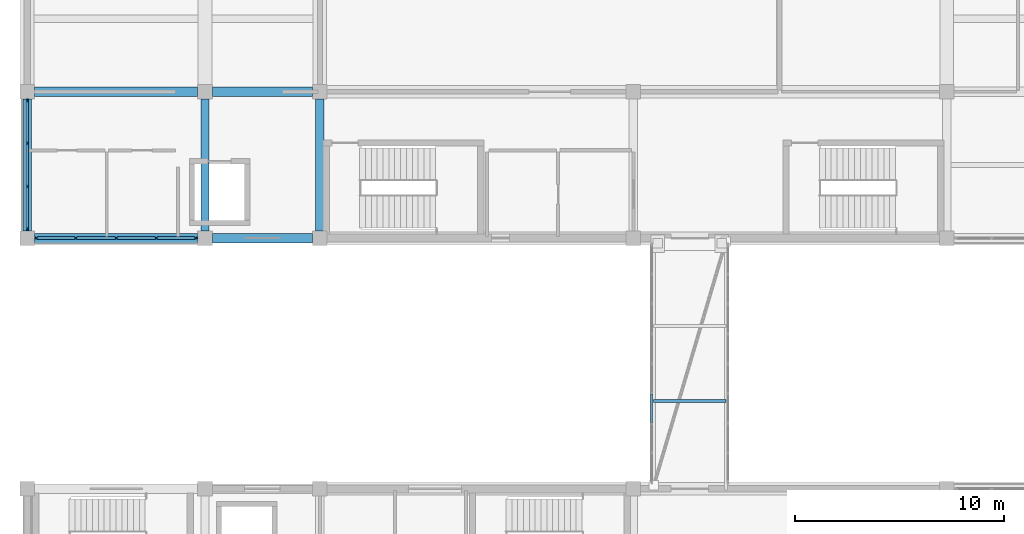
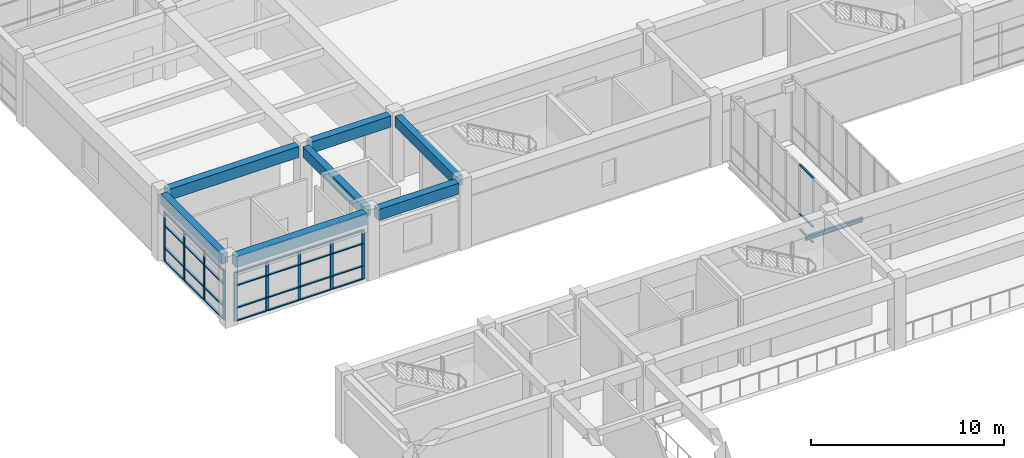
# One storey, part 10 of 70: 40 members, 8 beams, 3 elements without a shape of their own.
"""IFC4 building model written with IfcOpenShell, lengths in metres."""

from ifc_helpers import new_model, si_unit, direction, frame, origin, origin_2d, place, context, subcontext, project, spatial, rectangle, i_section, extrude, material, layer, layer_set, material_profile, profile_set, type_object, element, aggregate, save


model = new_model("IFC4")

# Units and contexts
model_context = context("Model", 3, precision=1e-05, world=origin(), true_north=direction((0.0, 1.0)))
body_context = subcontext(model_context, "Body", "Model", "MODEL_VIEW")
ifc_project = project(units=[si_unit("LENGTHUNIT", "METRE"), si_unit("AREAUNIT", "SQUARE_METRE"), si_unit("VOLUMEUNIT", "CUBIC_METRE"), si_unit("PLANEANGLEUNIT", "RADIAN"), si_unit("MASSUNIT", "GRAM", prefix="KILO")], contexts=[model_context])

# Site, building, storey
site_placement = place(None, origin())
site = spatial("IfcSite", under=ifc_project, at=site_placement, CompositionType="ELEMENT")
building_placement = place(site_placement, origin())
building = spatial("IfcBuilding", under=site, at=building_placement, Name="Naurynzar Civic Courthouse", CompositionType="ELEMENT")
storey_placement = place(building_placement, frame((0.0, 0.0, 5.39990234375)))
storey = spatial("IfcBuildingStorey", under=building, at=storey_placement, Name="L02", CompositionType="ELEMENT", Elevation=5.39990234375)

# Beams
ifc_material_1 = material(Name="Concrete C40/50", Category="concrete")
ifc_material_profile_1 = material_profile(ifc_material_1, rectangle(XDim=0.39990234375, YDim=0.64990234375, at=origin_2d()), Name="RCB 400x650")
ifc_profile_set_1 = profile_set([ifc_material_profile_1], Name="Concrete C40/50")
beam_type_1 = type_object("IfcBeamType", Name="BM-RC-400x650", PredefinedType="BEAM", material=ifc_profile_set_1)
for number, where, z_axis, x_axis, name in (
    (1, (6.0, 44.35009765625, 3.905029296875), (0.0, 1.0, 0.0), (-1.0, 0.0, 0.0), "V1 girder Y-135 L02"),
    (2, (14.5, 44.35009765625, 3.905029296875), (0.0, 1.0, 0.0), (-1.0, 0.0, 0.0), "V1 girder Y-138 L02"),
    (3, (20.0, 44.35009765625, 3.905029296875), (0.0, 1.0, 0.0), (-1.0, 0.0, 0.0), "V1 girder Y-141 L02"),
):
    element("IfcBeam", number, at=place(storey_placement, frame(where, z_axis=z_axis, x_axis=x_axis)), inside=storey, type_object=beam_type_1, Name=name, PredefinedType="BEAM", context=body_context, shape_type="SweptSolid", body=[
        extrude(rectangle(XDim=0.39990234375, YDim=0.64990234375, at=origin_2d()), origin(), (0.0, 0.0, 1.0), 6.2998046875),
    ])
ifc_material_2 = material(Name="Concrete C40/50", Category="concrete")
ifc_material_profile_2 = material_profile(ifc_material_2, rectangle(XDim=0.449951171875, YDim=0.699951171875, at=origin_2d()), Name="RCB 450x700")
ifc_profile_set_2 = profile_set([ifc_material_profile_2], Name="Concrete C40/50")
beam_type_2 = type_object("IfcBeamType", Name="BM-RC-450x700", PredefinedType="BEAM", material=ifc_profile_set_2)
beam_1_placement = place(storey_placement, frame((6.35009765625, 44.0, 3.880126953125), z_axis=(1.0, 0.0, 0.0), x_axis=(0.0, 1.0, 0.0)))
element("IfcBeam", 4, at=beam_1_placement, inside=storey, type_object=beam_type_2, Name="V1 beam X-115 L02", PredefinedType="BEAM", context=body_context, shape_type="SweptSolid", body=[
    extrude(rectangle(XDim=0.449951171875, YDim=0.699951171875, at=origin_2d()), origin(), (0.0, 0.0, 1.0), 7.7998046875),
])
beam_2_placement = place(storey_placement, frame((14.85009765625, 44.0, 3.880126953125), z_axis=(1.0, 0.0, 0.0), x_axis=(0.0, 1.0, 0.0)))
element("IfcBeam", 5, at=beam_2_placement, inside=storey, type_object=beam_type_2, Name="V1 beam X-116 L02", PredefinedType="BEAM", context=body_context, shape_type="SweptSolid", body=[
    extrude(rectangle(XDim=0.449951171875, YDim=0.699951171875, at=origin_2d()), origin(), (0.0, 0.0, 1.0), 4.7998046875),
])
beam_3_placement = place(storey_placement, frame((6.35009765625, 51.0, 3.880126953125), z_axis=(1.0, 0.0, 0.0), x_axis=(0.0, 1.0, 0.0)))
element("IfcBeam", 6, at=beam_3_placement, inside=storey, type_object=beam_type_2, Name="V1 beam X-120 L02", PredefinedType="BEAM", context=body_context, shape_type="SweptSolid", body=[
    extrude(rectangle(XDim=0.449951171875, YDim=0.699951171875, at=origin_2d()), origin(), (0.0, 0.0, 1.0), 7.7998046875),
])
beam_4_placement = place(storey_placement, frame((14.85009765625, 51.0, 3.880126953125), z_axis=(1.0, 0.0, 0.0), x_axis=(0.0, 1.0, 0.0)))
element("IfcBeam", 7, at=beam_4_placement, inside=storey, type_object=beam_type_2, Name="V1 beam X-121 L02", PredefinedType="BEAM", context=body_context, shape_type="SweptSolid", body=[
    extrude(rectangle(XDim=0.449951171875, YDim=0.699951171875, at=origin_2d()), origin(), (0.0, 0.0, 1.0), 4.7998046875),
])
ifc_material_3 = material(Name="Steel S355", Category="steel")
ifc_material_profile_3 = material_profile(ifc_material_3, i_section(OverallWidth=0.135009765625, OverallDepth=0.27001953125, WebThickness=0.006591796875, FlangeThickness=0.01025390625, FilletRadius=0.014892578125, at=origin_2d()), Name="IPE 270")
ifc_profile_set_3 = profile_set([ifc_material_profile_3], Name="Steel S355")
beam_type_3 = type_object("IfcBeamType", Name="BM-STL-IPE270", PredefinedType="BEAM", material=ifc_profile_set_3)
beam_5_placement = place(storey_placement, frame((35.969970703125, 36.2060546875, -0.375), z_axis=(1.0, 0.0, 0.0), x_axis=(0.0, 1.0, 0.0)))
element("IfcBeam", 8, at=beam_5_placement, inside=storey, type_object=beam_type_3, Name="BR-W1 deck cross-beam L02.1", PredefinedType="BEAM", context=body_context, shape_type="SweptSolid", body=[
    extrude(i_section(OverallWidth=0.135009765625, OverallDepth=0.27001953125, WebThickness=0.006591796875, FlangeThickness=0.01025390625, FilletRadius=0.014892578125, at=origin_2d()), origin(), (0.0, 0.0, 1.0), 3.4599609375),
])

# Curtain wall, members
ifc_material_4 = material(Name="Aluminium 6063-T6", Category="aluminium")
ifc_layer_1 = layer(ifc_material_4, 0.159912109375)
ifc_layer_set_1 = layer_set([ifc_layer_1], Name="CW-UNIT-1800")
curtain_wall_type_1 = type_object("IfcCurtainWallType", Name="CW-UNIT-1800", PredefinedType="NOTDEFINED", material=ifc_layer_set_1)
curtain_wall_1_placement = place(storey_placement, origin())
curtain_wall_1 = element("IfcCurtainWall", 9, at=curtain_wall_1_placement, inside=storey, type_object=curtain_wall_type_1, Name="V1 unitised curtain wall 1 L02", PredefinedType="NOTDEFINED")
ifc_material_5 = material(Name="Aluminium 6063-T6", Category="aluminium")
ifc_material_profile_4 = material_profile(ifc_material_5, rectangle(XDim=0.070068359375, YDim=0.179931640625, at=origin_2d()), Name="ALU MULLION 70x180")
ifc_profile_set_4 = profile_set([ifc_material_profile_4], Name="Aluminium 6063-T6")
member_type_1 = type_object("IfcMemberType", Name="CWM-70x180", PredefinedType="MULLION", material=ifc_profile_set_4)
member_1_placement = place(storey_placement, frame((6.0, 44.43505859375, 0.0), z_axis=(0.0, 0.0, 1.0), x_axis=(-1.0, 0.0, 0.0)))
member_1 = element("IfcMember", 10, at=member_1_placement, type_object=member_type_1, Name="CW-02 mullion 1", PredefinedType="MULLION", context=body_context, shape_type="SweptSolid", body=[
    extrude(rectangle(XDim=0.070068359375, YDim=0.179931640625, at=origin_2d()), origin(), (0.0, 0.0, 1.0), 3.110107421875),
])
member_2_placement = place(storey_placement, frame((6.0, 46.466552734375, 0.0), z_axis=(0.0, 0.0, 1.0), x_axis=(-1.0, 0.0, 0.0)))
member_2 = element("IfcMember", 11, at=member_2_placement, type_object=member_type_1, Name="CW-02 mullion 2", PredefinedType="MULLION", context=body_context, shape_type="SweptSolid", body=[
    extrude(rectangle(XDim=0.070068359375, YDim=0.179931640625, at=origin_2d()), origin(), (0.0, 0.0, 1.0), 3.110107421875),
])
member_3_placement = place(storey_placement, frame((6.0, 48.533447265625, 0.0), z_axis=(0.0, 0.0, 1.0), x_axis=(-1.0, 0.0, 0.0)))
member_3 = element("IfcMember", 12, at=member_3_placement, type_object=member_type_1, Name="CW-02 mullion 3", PredefinedType="MULLION", context=body_context, shape_type="SweptSolid", body=[
    extrude(rectangle(XDim=0.070068359375, YDim=0.179931640625, at=origin_2d()), origin(), (0.0, 0.0, 1.0), 3.110107421875),
])
member_4_placement = place(storey_placement, frame((6.0, 50.56494140625, 0.0), z_axis=(0.0, 0.0, 1.0), x_axis=(-1.0, 0.0, 0.0)))
member_4 = element("IfcMember", 13, at=member_4_placement, type_object=member_type_1, Name="CW-02 mullion 4", PredefinedType="MULLION", context=body_context, shape_type="SweptSolid", body=[
    extrude(rectangle(XDim=0.070068359375, YDim=0.179931640625, at=origin_2d()), origin(), (0.0, 0.0, 1.0), 3.110107421875),
])

curtain_wall_2_placement = place(storey_placement, origin())
curtain_wall_2 = element("IfcCurtainWall", 14, at=curtain_wall_2_placement, inside=storey, type_object=curtain_wall_type_1, Name="V1 unitised curtain wall 6 L02", PredefinedType="NOTDEFINED")
member_5_placement = place(storey_placement, frame((14.06494140625, 44.0, 0.0), z_axis=(0.0, 0.0, 1.0), x_axis=(0.0, -1.0, 0.0)))
member_5 = element("IfcMember", 15, at=member_5_placement, type_object=member_type_1, Name="CW-02 mullion 1", PredefinedType="MULLION", context=body_context, shape_type="SweptSolid", body=[
    extrude(rectangle(XDim=0.070068359375, YDim=0.179931640625, at=origin_2d()), origin(), (0.0, 0.0, 1.0), 3.110107421875),
])
member_6_placement = place(storey_placement, frame((12.175048828125, 44.0, 0.0), z_axis=(0.0, 0.0, 1.0), x_axis=(0.0, -1.0, 0.0)))
member_6 = element("IfcMember", 16, at=member_6_placement, type_object=member_type_1, Name="CW-02 mullion 2", PredefinedType="MULLION", context=body_context, shape_type="SweptSolid", body=[
    extrude(rectangle(XDim=0.070068359375, YDim=0.179931640625, at=origin_2d()), origin(), (0.0, 0.0, 1.0), 3.110107421875),
])
member_7_placement = place(storey_placement, frame((10.25, 44.0, 0.0), z_axis=(0.0, 0.0, 1.0), x_axis=(0.0, -1.0, 0.0)))
member_7 = element("IfcMember", 17, at=member_7_placement, type_object=member_type_1, Name="CW-02 mullion 3", PredefinedType="MULLION", context=body_context, shape_type="SweptSolid", body=[
    extrude(rectangle(XDim=0.070068359375, YDim=0.179931640625, at=origin_2d()), origin(), (0.0, 0.0, 1.0), 3.110107421875),
])
member_8_placement = place(storey_placement, frame((8.324951171875, 44.0, 0.0), z_axis=(0.0, 0.0, 1.0), x_axis=(0.0, -1.0, 0.0)))
member_8 = element("IfcMember", 18, at=member_8_placement, type_object=member_type_1, Name="CW-02 mullion 4", PredefinedType="MULLION", context=body_context, shape_type="SweptSolid", body=[
    extrude(rectangle(XDim=0.070068359375, YDim=0.179931640625, at=origin_2d()), origin(), (0.0, 0.0, 1.0), 3.110107421875),
])
member_9_placement = place(storey_placement, frame((6.43505859375, 44.0, 0.0), z_axis=(0.0, 0.0, 1.0), x_axis=(0.0, -1.0, 0.0)))
member_9 = element("IfcMember", 19, at=member_9_placement, type_object=member_type_1, Name="CW-02 mullion 5", PredefinedType="MULLION", context=body_context, shape_type="SweptSolid", body=[
    extrude(rectangle(XDim=0.070068359375, YDim=0.179931640625, at=origin_2d()), origin(), (0.0, 0.0, 1.0), 3.110107421875),
])

ifc_material_6 = material(Name="Aluminium 6063-T6", Category="aluminium")
ifc_layer_2 = layer(ifc_material_6, 0.14990234375)
ifc_layer_set_2 = layer_set([ifc_layer_2], Name="CW-BRIDGE-1500")
curtain_wall_type_2 = type_object("IfcCurtainWallType", Name="CW-BRIDGE-1500", PredefinedType="USERDEFINED", material=ifc_layer_set_2)
curtain_wall_3_placement = place(storey_placement, origin())
curtain_wall_3 = element("IfcCurtainWall", 20, at=curtain_wall_3_placement, inside=storey, type_object=curtain_wall_type_2, Name="BR-W1 glazed bridge screen L02.1", ObjectType="GLAZED BRIDGE SCREEN", PredefinedType="USERDEFINED")
ifc_material_7 = material(Name="Aluminium 6063-T6", Category="aluminium")
ifc_material_profile_5 = material_profile(ifc_material_7, rectangle(XDim=0.110107421875, YDim=0.06005859375, at=origin_2d()), Name="ALU TRANSOM 60x110")
ifc_profile_set_5 = profile_set([ifc_material_profile_5], Name="Aluminium 6063-T6")
member_type_2 = type_object("IfcMemberType", Name="CWT-60x110", PredefinedType="USERDEFINED", material=ifc_profile_set_5)
member_10_placement = place(storey_placement, frame((35.8798828125, 36.544921875, 0.030029296875), z_axis=(0.0, -1.0, 0.0), x_axis=(1.0, 0.0, 0.0)))
member_10 = element("IfcMember", 21, at=member_10_placement, type_object=member_type_2, Name="CW-03 transom 6.1", ObjectType="TRANSOM", PredefinedType="USERDEFINED", context=body_context, shape_type="SweptSolid", body=[
    extrude(rectangle(XDim=0.110107421875, YDim=0.06005859375, at=origin_2d()), origin(), (0.0, 0.0, 1.0), 1.364990234375),
])
member_11_placement = place(storey_placement, frame((35.8798828125, 36.544921875, 1.0), z_axis=(0.0, -1.0, 0.0), x_axis=(1.0, 0.0, 0.0)))
member_11 = element("IfcMember", 22, at=member_11_placement, type_object=member_type_2, Name="CW-03 transom 6.2", ObjectType="TRANSOM", PredefinedType="USERDEFINED", context=body_context, shape_type="SweptSolid", body=[
    extrude(rectangle(XDim=0.110107421875, YDim=0.06005859375, at=origin_2d()), origin(), (0.0, 0.0, 1.0), 1.364990234375),
])
member_12_placement = place(storey_placement, frame((35.8798828125, 36.544921875, 4.090087890625), z_axis=(0.0, -1.0, 0.0), x_axis=(1.0, 0.0, 0.0)))
member_12 = element("IfcMember", 23, at=member_12_placement, type_object=member_type_2, Name="CW-03 transom 6.3", ObjectType="TRANSOM", PredefinedType="USERDEFINED", context=body_context, shape_type="SweptSolid", body=[
    extrude(rectangle(XDim=0.110107421875, YDim=0.06005859375, at=origin_2d()), origin(), (0.0, 0.0, 1.0), 1.364990234375),
])
aggregate(curtain_wall_3, [member_10, member_11, member_12])

# Member
ifc_material_8 = material(Name="Aluminium 6063-T6", Category="aluminium")
ifc_material_profile_6 = material_profile(ifc_material_8, rectangle(XDim=0.1298828125, YDim=0.070068359375, at=origin_2d()), Name="ALU TRANSOM 70x130")
ifc_profile_set_6 = profile_set([ifc_material_profile_6], Name="Aluminium 6063-T6")
member_type_3 = type_object("IfcMemberType", Name="CWT-70x130", PredefinedType="USERDEFINED", material=ifc_profile_set_6)
member_13_placement = place(storey_placement, frame((6.0, 44.469970703125, 0.03515625), z_axis=(0.0, 1.0, 0.0), x_axis=(-1.0, 0.0, 0.0)))
member_13 = element("IfcMember", 24, at=member_13_placement, type_object=member_type_3, Name="CW-02 transom 1.1", ObjectType="TRANSOM", PredefinedType="USERDEFINED", context=body_context, shape_type="SweptSolid", body=[
    extrude(rectangle(XDim=0.1298828125, YDim=0.070068359375, at=origin_2d()), origin(), (0.0, 0.0, 1.0), 1.961669921875),
])

member_14_placement = place(storey_placement, frame((6.0, 44.469970703125, 0.85009765625), z_axis=(0.0, 1.0, 0.0), x_axis=(-1.0, 0.0, 0.0)))
member_14 = element("IfcMember", 25, at=member_14_placement, type_object=member_type_3, Name="CW-02 transom 1.2", ObjectType="TRANSOM", PredefinedType="USERDEFINED", context=body_context, shape_type="SweptSolid", body=[
    extrude(rectangle(XDim=0.1298828125, YDim=0.070068359375, at=origin_2d()), origin(), (0.0, 0.0, 1.0), 1.961669921875),
])

member_15_placement = place(storey_placement, frame((6.0, 44.469970703125, 2.260009765625), z_axis=(0.0, 1.0, 0.0), x_axis=(-1.0, 0.0, 0.0)))
member_15 = element("IfcMember", 26, at=member_15_placement, type_object=member_type_3, Name="CW-02 transom 1.3", ObjectType="TRANSOM", PredefinedType="USERDEFINED", context=body_context, shape_type="SweptSolid", body=[
    extrude(rectangle(XDim=0.1298828125, YDim=0.070068359375, at=origin_2d()), origin(), (0.0, 0.0, 1.0), 1.961669921875),
])

member_16_placement = place(storey_placement, frame((6.0, 44.469970703125, 3.0751953125), z_axis=(0.0, 1.0, 0.0), x_axis=(-1.0, 0.0, 0.0)))
member_16 = element("IfcMember", 27, at=member_16_placement, type_object=member_type_3, Name="CW-02 transom 1.4", ObjectType="TRANSOM", PredefinedType="USERDEFINED", context=body_context, shape_type="SweptSolid", body=[
    extrude(rectangle(XDim=0.1298828125, YDim=0.070068359375, at=origin_2d()), origin(), (0.0, 0.0, 1.0), 1.961669921875),
])

member_17_placement = place(storey_placement, frame((6.0, 46.501708984375, 0.03515625), z_axis=(0.0, 1.0, 0.0), x_axis=(-1.0, 0.0, 0.0)))
member_17 = element("IfcMember", 28, at=member_17_placement, type_object=member_type_3, Name="CW-02 transom 2.1", ObjectType="TRANSOM", PredefinedType="USERDEFINED", context=body_context, shape_type="SweptSolid", body=[
    extrude(rectangle(XDim=0.1298828125, YDim=0.070068359375, at=origin_2d()), origin(), (0.0, 0.0, 1.0), 1.99658203125),
])

member_18_placement = place(storey_placement, frame((6.0, 46.501708984375, 0.85009765625), z_axis=(0.0, 1.0, 0.0), x_axis=(-1.0, 0.0, 0.0)))
member_18 = element("IfcMember", 29, at=member_18_placement, type_object=member_type_3, Name="CW-02 transom 2.2", ObjectType="TRANSOM", PredefinedType="USERDEFINED", context=body_context, shape_type="SweptSolid", body=[
    extrude(rectangle(XDim=0.1298828125, YDim=0.070068359375, at=origin_2d()), origin(), (0.0, 0.0, 1.0), 1.99658203125),
])

member_19_placement = place(storey_placement, frame((6.0, 46.501708984375, 2.260009765625), z_axis=(0.0, 1.0, 0.0), x_axis=(-1.0, 0.0, 0.0)))
member_19 = element("IfcMember", 30, at=member_19_placement, type_object=member_type_3, Name="CW-02 transom 2.3", ObjectType="TRANSOM", PredefinedType="USERDEFINED", context=body_context, shape_type="SweptSolid", body=[
    extrude(rectangle(XDim=0.1298828125, YDim=0.070068359375, at=origin_2d()), origin(), (0.0, 0.0, 1.0), 1.99658203125),
])

member_20_placement = place(storey_placement, frame((6.0, 46.501708984375, 3.0751953125), z_axis=(0.0, 1.0, 0.0), x_axis=(-1.0, 0.0, 0.0)))
member_20 = element("IfcMember", 31, at=member_20_placement, type_object=member_type_3, Name="CW-02 transom 2.4", ObjectType="TRANSOM", PredefinedType="USERDEFINED", context=body_context, shape_type="SweptSolid", body=[
    extrude(rectangle(XDim=0.1298828125, YDim=0.070068359375, at=origin_2d()), origin(), (0.0, 0.0, 1.0), 1.99658203125),
])

member_21_placement = place(storey_placement, frame((6.0, 48.568359375, 0.03515625), z_axis=(0.0, 1.0, 0.0), x_axis=(-1.0, 0.0, 0.0)))
member_21 = element("IfcMember", 32, at=member_21_placement, type_object=member_type_3, Name="CW-02 transom 3.1", ObjectType="TRANSOM", PredefinedType="USERDEFINED", context=body_context, shape_type="SweptSolid", body=[
    extrude(rectangle(XDim=0.1298828125, YDim=0.070068359375, at=origin_2d()), origin(), (0.0, 0.0, 1.0), 1.961669921875),
])

member_22_placement = place(storey_placement, frame((6.0, 48.568359375, 0.85009765625), z_axis=(0.0, 1.0, 0.0), x_axis=(-1.0, 0.0, 0.0)))
member_22 = element("IfcMember", 33, at=member_22_placement, type_object=member_type_3, Name="CW-02 transom 3.2", ObjectType="TRANSOM", PredefinedType="USERDEFINED", context=body_context, shape_type="SweptSolid", body=[
    extrude(rectangle(XDim=0.1298828125, YDim=0.070068359375, at=origin_2d()), origin(), (0.0, 0.0, 1.0), 1.961669921875),
])

member_23_placement = place(storey_placement, frame((6.0, 48.568359375, 2.260009765625), z_axis=(0.0, 1.0, 0.0), x_axis=(-1.0, 0.0, 0.0)))
member_23 = element("IfcMember", 34, at=member_23_placement, type_object=member_type_3, Name="CW-02 transom 3.3", ObjectType="TRANSOM", PredefinedType="USERDEFINED", context=body_context, shape_type="SweptSolid", body=[
    extrude(rectangle(XDim=0.1298828125, YDim=0.070068359375, at=origin_2d()), origin(), (0.0, 0.0, 1.0), 1.961669921875),
])

member_24_placement = place(storey_placement, frame((6.0, 48.568359375, 3.0751953125), z_axis=(0.0, 1.0, 0.0), x_axis=(-1.0, 0.0, 0.0)))
member_24 = element("IfcMember", 35, at=member_24_placement, type_object=member_type_3, Name="CW-02 transom 3.4", ObjectType="TRANSOM", PredefinedType="USERDEFINED", context=body_context, shape_type="SweptSolid", body=[
    extrude(rectangle(XDim=0.1298828125, YDim=0.070068359375, at=origin_2d()), origin(), (0.0, 0.0, 1.0), 1.961669921875),
])

aggregate(curtain_wall_1, [member_1, member_2, member_3, member_4, member_13, member_14, member_15, member_16, member_17, member_18, member_19, member_20, member_21, member_22, member_23, member_24])

member_25_placement = place(storey_placement, frame((14.030029296875, 44.0, 0.03515625), z_axis=(-1.0, 0.0, 0.0), x_axis=(0.0, -1.0, 0.0)))
member_25 = element("IfcMember", 36, at=member_25_placement, type_object=member_type_3, Name="CW-02 transom 1.1", ObjectType="TRANSOM", PredefinedType="USERDEFINED", context=body_context, shape_type="SweptSolid", body=[
    extrude(rectangle(XDim=0.1298828125, YDim=0.070068359375, at=origin_2d()), origin(), (0.0, 0.0, 1.0), 1.820068359375),
])

member_26_placement = place(storey_placement, frame((14.030029296875, 44.0, 0.85009765625), z_axis=(-1.0, 0.0, 0.0), x_axis=(0.0, -1.0, 0.0)))
member_26 = element("IfcMember", 37, at=member_26_placement, type_object=member_type_3, Name="CW-02 transom 1.2", ObjectType="TRANSOM", PredefinedType="USERDEFINED", context=body_context, shape_type="SweptSolid", body=[
    extrude(rectangle(XDim=0.1298828125, YDim=0.070068359375, at=origin_2d()), origin(), (0.0, 0.0, 1.0), 1.820068359375),
])

member_27_placement = place(storey_placement, frame((14.030029296875, 44.0, 2.260009765625), z_axis=(-1.0, 0.0, 0.0), x_axis=(0.0, -1.0, 0.0)))
member_27 = element("IfcMember", 38, at=member_27_placement, type_object=member_type_3, Name="CW-02 transom 1.3", ObjectType="TRANSOM", PredefinedType="USERDEFINED", context=body_context, shape_type="SweptSolid", body=[
    extrude(rectangle(XDim=0.1298828125, YDim=0.070068359375, at=origin_2d()), origin(), (0.0, 0.0, 1.0), 1.820068359375),
])

member_28_placement = place(storey_placement, frame((14.030029296875, 44.0, 3.0751953125), z_axis=(-1.0, 0.0, 0.0), x_axis=(0.0, -1.0, 0.0)))
member_28 = element("IfcMember", 39, at=member_28_placement, type_object=member_type_3, Name="CW-02 transom 1.4", ObjectType="TRANSOM", PredefinedType="USERDEFINED", context=body_context, shape_type="SweptSolid", body=[
    extrude(rectangle(XDim=0.1298828125, YDim=0.070068359375, at=origin_2d()), origin(), (0.0, 0.0, 1.0), 1.820068359375),
])

member_29_placement = place(storey_placement, frame((12.139892578125, 44.0, 0.03515625), z_axis=(-1.0, 0.0, 0.0), x_axis=(0.0, -1.0, 0.0)))
member_29 = element("IfcMember", 40, at=member_29_placement, type_object=member_type_3, Name="CW-02 transom 2.1", ObjectType="TRANSOM", PredefinedType="USERDEFINED", context=body_context, shape_type="SweptSolid", body=[
    extrude(rectangle(XDim=0.1298828125, YDim=0.070068359375, at=origin_2d()), origin(), (0.0, 0.0, 1.0), 1.85498046875),
])

member_30_placement = place(storey_placement, frame((12.139892578125, 44.0, 0.85009765625), z_axis=(-1.0, 0.0, 0.0), x_axis=(0.0, -1.0, 0.0)))
member_30 = element("IfcMember", 41, at=member_30_placement, type_object=member_type_3, Name="CW-02 transom 2.2", ObjectType="TRANSOM", PredefinedType="USERDEFINED", context=body_context, shape_type="SweptSolid", body=[
    extrude(rectangle(XDim=0.1298828125, YDim=0.070068359375, at=origin_2d()), origin(), (0.0, 0.0, 1.0), 1.85498046875),
])

member_31_placement = place(storey_placement, frame((12.139892578125, 44.0, 2.260009765625), z_axis=(-1.0, 0.0, 0.0), x_axis=(0.0, -1.0, 0.0)))
member_31 = element("IfcMember", 42, at=member_31_placement, type_object=member_type_3, Name="CW-02 transom 2.3", ObjectType="TRANSOM", PredefinedType="USERDEFINED", context=body_context, shape_type="SweptSolid", body=[
    extrude(rectangle(XDim=0.1298828125, YDim=0.070068359375, at=origin_2d()), origin(), (0.0, 0.0, 1.0), 1.85498046875),
])

member_32_placement = place(storey_placement, frame((12.139892578125, 44.0, 3.0751953125), z_axis=(-1.0, 0.0, 0.0), x_axis=(0.0, -1.0, 0.0)))
member_32 = element("IfcMember", 43, at=member_32_placement, type_object=member_type_3, Name="CW-02 transom 2.4", ObjectType="TRANSOM", PredefinedType="USERDEFINED", context=body_context, shape_type="SweptSolid", body=[
    extrude(rectangle(XDim=0.1298828125, YDim=0.070068359375, at=origin_2d()), origin(), (0.0, 0.0, 1.0), 1.85498046875),
])

member_33_placement = place(storey_placement, frame((10.215087890625, 44.0, 0.03515625), z_axis=(-1.0, 0.0, 0.0), x_axis=(0.0, -1.0, 0.0)))
member_33 = element("IfcMember", 44, at=member_33_placement, type_object=member_type_3, Name="CW-02 transom 3.1", ObjectType="TRANSOM", PredefinedType="USERDEFINED", context=body_context, shape_type="SweptSolid", body=[
    extrude(rectangle(XDim=0.1298828125, YDim=0.070068359375, at=origin_2d()), origin(), (0.0, 0.0, 1.0), 1.85498046875),
])

member_34_placement = place(storey_placement, frame((10.215087890625, 44.0, 0.85009765625), z_axis=(-1.0, 0.0, 0.0), x_axis=(0.0, -1.0, 0.0)))
member_34 = element("IfcMember", 45, at=member_34_placement, type_object=member_type_3, Name="CW-02 transom 3.2", ObjectType="TRANSOM", PredefinedType="USERDEFINED", context=body_context, shape_type="SweptSolid", body=[
    extrude(rectangle(XDim=0.1298828125, YDim=0.070068359375, at=origin_2d()), origin(), (0.0, 0.0, 1.0), 1.85498046875),
])

member_35_placement = place(storey_placement, frame((10.215087890625, 44.0, 2.260009765625), z_axis=(-1.0, 0.0, 0.0), x_axis=(0.0, -1.0, 0.0)))
member_35 = element("IfcMember", 46, at=member_35_placement, type_object=member_type_3, Name="CW-02 transom 3.3", ObjectType="TRANSOM", PredefinedType="USERDEFINED", context=body_context, shape_type="SweptSolid", body=[
    extrude(rectangle(XDim=0.1298828125, YDim=0.070068359375, at=origin_2d()), origin(), (0.0, 0.0, 1.0), 1.85498046875),
])

member_36_placement = place(storey_placement, frame((10.215087890625, 44.0, 3.0751953125), z_axis=(-1.0, 0.0, 0.0), x_axis=(0.0, -1.0, 0.0)))
member_36 = element("IfcMember", 47, at=member_36_placement, type_object=member_type_3, Name="CW-02 transom 3.4", ObjectType="TRANSOM", PredefinedType="USERDEFINED", context=body_context, shape_type="SweptSolid", body=[
    extrude(rectangle(XDim=0.1298828125, YDim=0.070068359375, at=origin_2d()), origin(), (0.0, 0.0, 1.0), 1.85498046875),
])

member_37_placement = place(storey_placement, frame((8.2900390625, 44.0, 0.03515625), z_axis=(-1.0, 0.0, 0.0), x_axis=(0.0, -1.0, 0.0)))
member_37 = element("IfcMember", 48, at=member_37_placement, type_object=member_type_3, Name="CW-02 transom 4.1", ObjectType="TRANSOM", PredefinedType="USERDEFINED", context=body_context, shape_type="SweptSolid", body=[
    extrude(rectangle(XDim=0.1298828125, YDim=0.070068359375, at=origin_2d()), origin(), (0.0, 0.0, 1.0), 1.820068359375),
])

member_38_placement = place(storey_placement, frame((8.2900390625, 44.0, 0.85009765625), z_axis=(-1.0, 0.0, 0.0), x_axis=(0.0, -1.0, 0.0)))
member_38 = element("IfcMember", 49, at=member_38_placement, type_object=member_type_3, Name="CW-02 transom 4.2", ObjectType="TRANSOM", PredefinedType="USERDEFINED", context=body_context, shape_type="SweptSolid", body=[
    extrude(rectangle(XDim=0.1298828125, YDim=0.070068359375, at=origin_2d()), origin(), (0.0, 0.0, 1.0), 1.820068359375),
])

member_39_placement = place(storey_placement, frame((8.2900390625, 44.0, 2.260009765625), z_axis=(-1.0, 0.0, 0.0), x_axis=(0.0, -1.0, 0.0)))
member_39 = element("IfcMember", 50, at=member_39_placement, type_object=member_type_3, Name="CW-02 transom 4.3", ObjectType="TRANSOM", PredefinedType="USERDEFINED", context=body_context, shape_type="SweptSolid", body=[
    extrude(rectangle(XDim=0.1298828125, YDim=0.070068359375, at=origin_2d()), origin(), (0.0, 0.0, 1.0), 1.820068359375),
])

member_40_placement = place(storey_placement, frame((8.2900390625, 44.0, 3.0751953125), z_axis=(-1.0, 0.0, 0.0), x_axis=(0.0, -1.0, 0.0)))
member_40 = element("IfcMember", 51, at=member_40_placement, type_object=member_type_3, Name="CW-02 transom 4.4", ObjectType="TRANSOM", PredefinedType="USERDEFINED", context=body_context, shape_type="SweptSolid", body=[
    extrude(rectangle(XDim=0.1298828125, YDim=0.070068359375, at=origin_2d()), origin(), (0.0, 0.0, 1.0), 1.820068359375),
])

aggregate(curtain_wall_2, [member_5, member_6, member_7, member_8, member_9, member_25, member_26, member_27, member_28, member_29, member_30, member_31, member_32, member_33, member_34, member_35, member_36, member_37, member_38, member_39, member_40])

save(model, "model.ifc")
